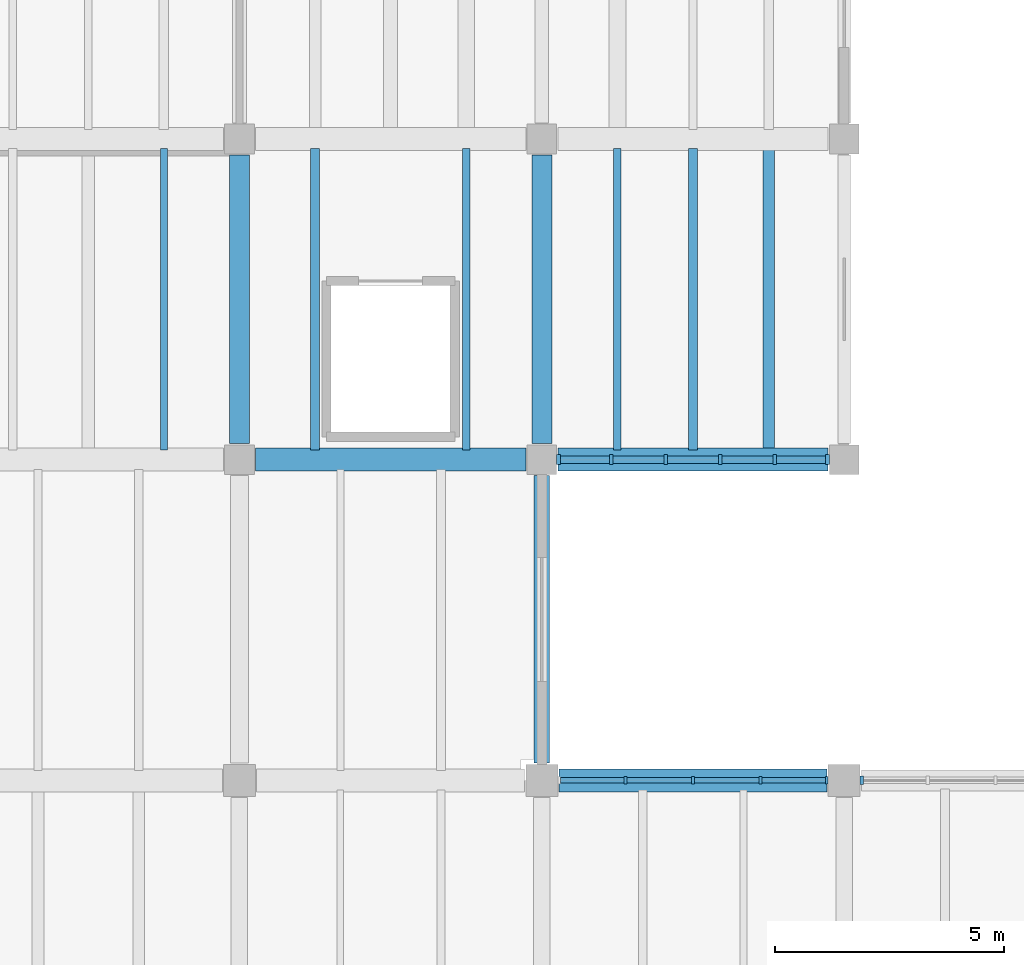
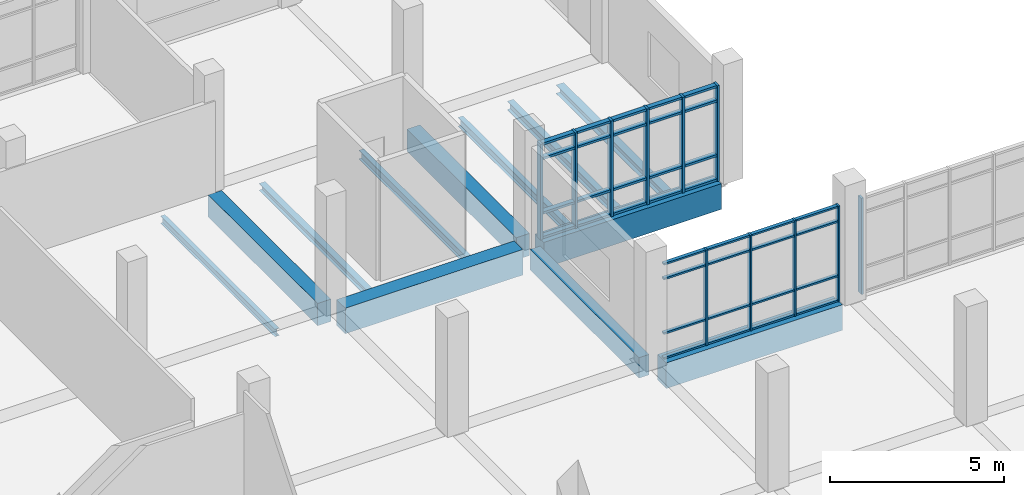
# One storey, part 18 of 69: 47 members, 12 beams, 3 elements without a shape of their own.
"""IFC4 building model written with IfcOpenShell, lengths in metres."""

import ifcopenshell
import ifcopenshell.guid

model = None  # the IFC model being written
_history = None  # IfcOwnerHistory: only IFC2X3 demands one
_inside = {}  # id of a spatial element -> (the spatial element, [elements in it])
_under = {}  # id of a project, library or spatial element -> (it, [spatial elements below it])
_declared = {}  # id of a project -> (the project, [libraries it declares])
_typed = {}  # id of a type object -> (the type object, [elements of that type])
_made_of = {}  # id of a material, layer set ... -> (it, [elements and type objects made of it])


def new_model(schema):
    """Start an empty IFC model of exactly this schema.

    Asked for "IFC4X3", IfcOpenShell would pick the latest addendum, in which some entities
    have other attributes; the version numbers below select the first issue.
    IFC2X3 requires an IfcOwnerHistory on every rooted entity: one is made here for all.
    """
    global model, _history
    if schema == "IFC4X3":
        model = ifcopenshell.file(schema_version=(4, 3, 0, 0))
    else:
        model = ifcopenshell.file(schema=schema)
    _inside.clear()
    _under.clear()
    _declared.clear()
    _typed.clear()
    _made_of.clear()
    _history = None
    if model.schema == "IFC2X3":
        org = make("IfcOrganization", Name="unknown")
        user = make(
            "IfcPersonAndOrganization",
            ThePerson=make("IfcPerson", FamilyName="unknown"),
            TheOrganization=org,
        )
        app = make(
            "IfcApplication",
            ApplicationDeveloper=org,
            Version="unknown",
            ApplicationFullName="unknown",
            ApplicationIdentifier="unknown",
        )
        _history = make(
            "IfcOwnerHistory",
            OwningUser=user,
            OwningApplication=app,
            ChangeAction="ADDED",
            CreationDate=0,
        )
    return model


def make(cls, **values):
    """One entity of the class cls with the attributes given. An attribute that is None is left unset."""
    return model.create_entity(
        cls, **{name: value for name, value in values.items() if value is not None}
    )


def rooted(cls, **values):
    """An entity with a GlobalId (a new one), such as an element, a storey or a relation."""
    return make(cls, GlobalId=ifcopenshell.guid.new(), OwnerHistory=_history, **values)


def si_unit(unit_type, name, prefix=None):
    """IfcSIUnit, for example si_unit("LENGTHUNIT", "METRE", prefix="MILLI")."""
    return make("IfcSIUnit", UnitType=unit_type, Prefix=prefix, Name=name)


def assignment(units):
    """IfcUnitAssignment: the units of a project."""
    return None if units is None else make("IfcUnitAssignment", Units=units)


def point(xyz):
    """IfcCartesianPoint."""
    return None if xyz is None else make("IfcCartesianPoint", Coordinates=xyz)


def direction(xyz):
    """IfcDirection."""
    return None if xyz is None else make("IfcDirection", DirectionRatios=xyz)


def frame(location, z_axis=None, x_axis=None):
    """IfcAxis2Placement3D, a coordinate frame: its origin and axes. An axis left out is left unset."""
    return make(
        "IfcAxis2Placement3D",
        Location=point(location),
        Axis=direction(z_axis),
        RefDirection=direction(x_axis),
    )


def frame_2d(location, x_axis=None):
    """IfcAxis2Placement2D, a coordinate frame in the plane: its origin and x axis."""
    return make(
        "IfcAxis2Placement2D", Location=point(location), RefDirection=direction(x_axis)
    )


def origin():
    """The frame at (0, 0, 0) with its axes left unset."""
    return frame((0.0, 0.0, 0.0))


def origin_2d():
    """The frame at (0, 0) in the plane with its x axis left unset."""
    return frame_2d((0.0, 0.0))


def place(relative_to, where):
    """IfcLocalPlacement: puts the frame where relative to a parent placement (None: the world)."""
    return make(
        "IfcLocalPlacement", PlacementRelTo=relative_to, RelativePlacement=where
    )


def context(
    kind, dimensions, precision=None, world=None, true_north=None, identifier=None
):
    """IfcGeometricRepresentationContext, for example the 3D "Model" context."""
    return make(
        "IfcGeometricRepresentationContext",
        ContextIdentifier=identifier,
        ContextType=kind,
        CoordinateSpaceDimension=dimensions,
        Precision=precision,
        WorldCoordinateSystem=world,
        TrueNorth=true_north,
    )


def subcontext(parent, identifier, kind, view, scale=None):
    """IfcGeometricRepresentationSubContext, for example "Body" below "Model"."""
    return make(
        "IfcGeometricRepresentationSubContext",
        ContextIdentifier=identifier,
        ContextType=kind,
        ParentContext=parent,
        TargetScale=scale,
        TargetView=view,
    )


def project(units=None, contexts=None):
    """IfcProject with its units and contexts."""
    return rooted(
        "IfcProject",
        Name="project",
        RepresentationContexts=contexts,
        UnitsInContext=assignment(units),
    )


def spatial(cls, under=None, at=None, **own):
    """A site, building, storey or space (cls), placed at a placement, below another one or the project."""
    s = rooted(cls, ObjectPlacement=at, **own)
    if under is not None:
        _under.setdefault(under.id(), (under, []))[1].append(s)
    return s


def profile(cls, at=None, kind="AREA", **sizes):
    """A parametric profile (cls). Its sizes go by their IFC names, for example OverallWidth=200.0."""
    return make(cls, ProfileType=kind, Position=at, **sizes)


def rectangle(**sizes):
    """IfcRectangleProfileDef."""
    return profile("IfcRectangleProfileDef", **sizes)


def i_section(**sizes):
    """IfcIShapeProfileDef."""
    return profile("IfcIShapeProfileDef", **sizes)


def extrude(swept, where, along, depth):
    """IfcExtrudedAreaSolid: the profile swept, set in the frame where, extruded along a direction by depth."""
    return make(
        "IfcExtrudedAreaSolid",
        SweptArea=swept,
        Position=where,
        ExtrudedDirection=direction(along),
        Depth=depth,
    )


def shape(context_of_items, identifier, shape_type, items):
    """IfcShapeRepresentation: the items that make up one representation, for example the "Body"."""
    return make(
        "IfcShapeRepresentation",
        ContextOfItems=context_of_items,
        RepresentationIdentifier=identifier,
        RepresentationType=shape_type,
        Items=items,
    )


def material(Name=None, Category=None):
    """IfcMaterial."""
    return make("IfcMaterial", Name=Name, Category=Category)


def material_profile(
    of_material, cross_section, Name=None, Category=None, Priority=None
):
    """IfcMaterialProfile: a cross section and its material."""
    return make(
        "IfcMaterialProfile",
        Name=Name,
        Material=of_material,
        Profile=cross_section,
        Priority=Priority,
        Category=Category,
    )


def profile_set(profiles, Name=None, composite=None):
    """IfcMaterialProfileSet."""
    return make(
        "IfcMaterialProfileSet",
        Name=Name,
        MaterialProfiles=profiles,
        CompositeProfile=composite,
    )


def made_of(thing, what):
    """Note that an element or type object is made of a material, layer set ...; save() writes the relation."""
    if what is not None:
        _made_of.setdefault(what.id(), (what, []))[1].append(thing)
    return thing


def type_object(cls, material=None, **own):
    """A type object (cls), such as IfcWallType, which elements share."""
    return made_of(rooted(cls, **own), material)


def element(
    cls,
    number,
    at=None,
    inside=None,
    cuts=None,
    type_object=None,
    material=None,
    context=None,
    identifier="Body",
    shape_type=None,
    held_by="IfcProductDefinitionShape",
    body=None,
    shapes=None,
    **own,
):
    """One element of the class cls, such as IfcWall. Its Tag is "e" and its number.

    at: its placement. inside: the storey or other place that contains it. cuts: it is an
    opening in that element (IfcRelVoidsElement). A single representation is given by context,
    identifier, shape_type and body (its items); several are given by shapes. held_by: the class
    of the entity that holds the representations. save() writes the other relations.
    """
    e = rooted(cls, Tag="e%d" % number, ObjectPlacement=at, **own)
    if body is not None:
        shapes = [shape(context, identifier, shape_type, body)]
    if shapes is not None:
        e.Representation = make(held_by, Representations=shapes)
    if inside is not None:
        _inside.setdefault(inside.id(), (inside, []))[1].append(e)
    if cuts is not None:
        rooted(
            "IfcRelVoidsElement", RelatingBuildingElement=cuts, RelatedOpeningElement=e
        )
    if type_object is not None:
        _typed.setdefault(type_object.id(), (type_object, []))[1].append(e)
    return made_of(e, material)


def aggregate(whole, parts):
    """IfcRelAggregates: a whole, such as a stair, and the parts it consists of."""
    return rooted("IfcRelAggregates", RelatingObject=whole, RelatedObjects=parts)


def save(model, path):
    """Write the relations noted so far, then the file.

    IfcRelAggregates (storeys below a building ...), IfcRelContainedInSpatialStructure (elements
    in a storey), IfcRelDefinesByType, IfcRelAssociatesMaterial and IfcRelDeclares: one each for
    every whole, place, type object, material and project.
    """
    for whole, parts in _under.values():
        aggregate(whole, parts)
    for where, things in _inside.values():
        rooted(
            "IfcRelContainedInSpatialStructure",
            RelatedElements=things,
            RelatingStructure=where,
        )
    for kind, things in _typed.values():
        rooted("IfcRelDefinesByType", RelatedObjects=things, RelatingType=kind)
    for what, things in _made_of.values():
        rooted("IfcRelAssociatesMaterial", RelatedObjects=things, RelatingMaterial=what)
    for by, libraries in _declared.values():
        rooted("IfcRelDeclares", RelatingContext=by, RelatedDefinitions=libraries)
    model.write(path)


model = new_model("IFC4")

# Units and contexts
model_context = context("Model", 3, precision=1e-05, world=origin(), true_north=direction((0.0, 1.0)))
body_context = subcontext(model_context, "Body", "Model", "MODEL_VIEW")
ifc_project = project(units=[si_unit("LENGTHUNIT", "METRE"), si_unit("AREAUNIT", "SQUARE_METRE"), si_unit("VOLUMEUNIT", "CUBIC_METRE"), si_unit("PLANEANGLEUNIT", "RADIAN"), si_unit("MASSUNIT", "GRAM", prefix="KILO")], contexts=[model_context])

# Site, building, storey
site_placement = place(None, origin())
site = spatial("IfcSite", under=ifc_project, at=site_placement, CompositionType="ELEMENT")
building_placement = place(site_placement, origin())
building = spatial("IfcBuilding", under=site, at=building_placement, Name="Ciguamira Faculty of Natural Sciences", CompositionType="ELEMENT")
storey_placement = place(building_placement, origin())
storey = spatial("IfcBuildingStorey", under=building, at=storey_placement, Name="L00", CompositionType="ELEMENT", Elevation=0.0)

# Curtain wall, members
ifc_material_1 = material(Name="Anodized aluminium curtain wall", Category="aluminium")
curtain_wall_type_1 = type_object("IfcCurtainWallType", Name="CurtainWall_CW-07", PredefinedType="USERDEFINED", material=ifc_material_1)
curtain_wall_1_placement = place(storey_placement, origin())
curtain_wall_1 = element("IfcCurtainWall", 1, at=curtain_wall_1_placement, inside=storey, type_object=curtain_wall_type_1, Name="L00 unitised curtain wall 0007", ObjectType="UNITISED CURTAIN WALL", PredefinedType="USERDEFINED")
ifc_material_2 = material(Name="Anodized aluminium mullion", Category="aluminium")
ifc_material_profile_1 = material_profile(ifc_material_2, rectangle(XDim=0.06005859375, YDim=0.159912109375, at=origin_2d()), Name="ALU-MUL-60X160")
ifc_profile_set_1 = profile_set([ifc_material_profile_1], Name="Anodized aluminium mullion")
member_type_1 = type_object("IfcMemberType", Name="CWMullion_CWM-01", PredefinedType="MULLION", material=ifc_profile_set_1)
member_1_placement = place(storey_placement, frame((111.925048828125, 38.0, 0.0), z_axis=(0.0, 0.0, 1.0), x_axis=(1.0, 0.0, 0.0)))
member_1 = element("IfcMember", 2, at=member_1_placement, type_object=member_type_1, Name="CW-07 mullion 2", PredefinedType="MULLION", context=body_context, shape_type="SweptSolid", body=[
    extrude(rectangle(XDim=0.06005859375, YDim=0.159912109375, at=origin_2d()), origin(), (0.0, 0.0, 1.0), 3.364990234375),
])
member_2_placement = place(storey_placement, frame((113.39990234375, 38.0, 0.0), z_axis=(0.0, 0.0, 1.0), x_axis=(1.0, 0.0, 0.0)))
member_2 = element("IfcMember", 3, at=member_2_placement, type_object=member_type_1, Name="CW-07 mullion 3", PredefinedType="MULLION", context=body_context, shape_type="SweptSolid", body=[
    extrude(rectangle(XDim=0.06005859375, YDim=0.159912109375, at=origin_2d()), origin(), (0.0, 0.0, 1.0), 3.364990234375),
])
member_3_placement = place(storey_placement, frame((114.875, 38.0, 0.0), z_axis=(0.0, 0.0, 1.0), x_axis=(1.0, 0.0, 0.0)))
member_3 = element("IfcMember", 4, at=member_3_placement, type_object=member_type_1, Name="CW-07 mullion 4", PredefinedType="MULLION", context=body_context, shape_type="SweptSolid", body=[
    extrude(rectangle(XDim=0.06005859375, YDim=0.159912109375, at=origin_2d()), origin(), (0.0, 0.0, 1.0), 3.364990234375),
])
member_4_placement = place(storey_placement, frame((116.320068359375, 38.0, 0.0), z_axis=(0.0, 0.0, 1.0), x_axis=(1.0, 0.0, 0.0)))
member_4 = element("IfcMember", 5, at=member_4_placement, type_object=member_type_1, Name="CW-07 mullion 5", PredefinedType="MULLION", context=body_context, shape_type="SweptSolid", body=[
    extrude(rectangle(XDim=0.06005859375, YDim=0.159912109375, at=origin_2d()), origin(), (0.0, 0.0, 1.0), 3.364990234375),
])

# Curtain wall, member
curtain_wall_type_2 = type_object("IfcCurtainWallType", Name="CurtainWall_CW-08", PredefinedType="USERDEFINED", material=ifc_material_1)
curtain_wall_2_placement = place(storey_placement, origin())
curtain_wall_2 = element("IfcCurtainWall", 6, at=curtain_wall_2_placement, inside=storey, type_object=curtain_wall_type_2, Name="L00 unitised curtain wall 0008", ObjectType="UNITISED CURTAIN WALL", PredefinedType="USERDEFINED")
ifc_material_profile_2 = material_profile(ifc_material_2, rectangle(XDim=0.070068359375, YDim=0.179931640625, at=origin_2d()), Name="ALU-MUL-70X180")
ifc_profile_set_2 = profile_set([ifc_material_profile_2], Name="Anodized aluminium mullion")
member_type_2 = type_object("IfcMemberType", Name="CWMullion_CWM-02", PredefinedType="MULLION", material=ifc_profile_set_2)
member_5_placement = place(storey_placement, frame((117.0849609375, 38.0, 0.0), z_axis=(0.0, 0.0, 1.0), x_axis=(1.0, 0.0, 0.0)))
member_5 = element("IfcMember", 7, at=member_5_placement, type_object=member_type_2, Name="CW-08 mullion 1", PredefinedType="MULLION", context=body_context, shape_type="SweptSolid", body=[
    extrude(rectangle(XDim=0.070068359375, YDim=0.179931640625, at=origin_2d()), origin(), (0.0, 0.0, 1.0), 3.385009765625),
])
aggregate(curtain_wall_2, [member_5])

# Curtain wall, members
curtain_wall_type_3 = type_object("IfcCurtainWallType", Name="CurtainWall_CW-09", PredefinedType="USERDEFINED", material=ifc_material_1)
curtain_wall_3_placement = place(storey_placement, origin())
curtain_wall_3 = element("IfcCurtainWall", 8, at=curtain_wall_3_placement, inside=storey, type_object=curtain_wall_type_3, Name="L00 unitised curtain wall 0009", ObjectType="UNITISED CURTAIN WALL", PredefinedType="USERDEFINED")
ifc_material_profile_3 = material_profile(ifc_material_2, rectangle(XDim=0.080078125, YDim=0.219970703125, at=origin_2d()), Name="ALU-MUL-80X220")
ifc_profile_set_3 = profile_set([ifc_material_profile_3], Name="Anodized aluminium mullion")
member_type_3 = type_object("IfcMemberType", Name="CWMullion_CWM-03", PredefinedType="MULLION", material=ifc_profile_set_3)
member_6_placement = place(storey_placement, frame((110.465087890625, 45.0, 0.0), z_axis=(0.0, 0.0, 1.0), x_axis=(1.0, 0.0, 0.0)))
member_6 = element("IfcMember", 9, at=member_6_placement, type_object=member_type_3, Name="CW-09 mullion 1", PredefinedType="MULLION", context=body_context, shape_type="SweptSolid", body=[
    extrude(rectangle(XDim=0.080078125, YDim=0.219970703125, at=origin_2d()), origin(), (0.0, 0.0, 1.0), 3.364990234375),
])
member_7_placement = place(storey_placement, frame((111.614990234375, 45.0, 0.0), z_axis=(0.0, 0.0, 1.0), x_axis=(1.0, 0.0, 0.0)))
member_7 = element("IfcMember", 10, at=member_7_placement, type_object=member_type_3, Name="CW-09 mullion 2", PredefinedType="MULLION", context=body_context, shape_type="SweptSolid", body=[
    extrude(rectangle(XDim=0.080078125, YDim=0.219970703125, at=origin_2d()), origin(), (0.0, 0.0, 1.0), 3.364990234375),
])
member_8_placement = place(storey_placement, frame((112.804931640625, 45.0, 0.0), z_axis=(0.0, 0.0, 1.0), x_axis=(1.0, 0.0, 0.0)))
member_8 = element("IfcMember", 11, at=member_8_placement, type_object=member_type_3, Name="CW-09 mullion 3", PredefinedType="MULLION", context=body_context, shape_type="SweptSolid", body=[
    extrude(rectangle(XDim=0.080078125, YDim=0.219970703125, at=origin_2d()), origin(), (0.0, 0.0, 1.0), 3.364990234375),
])
member_9_placement = place(storey_placement, frame((113.9951171875, 45.0, 0.0), z_axis=(0.0, 0.0, 1.0), x_axis=(1.0, 0.0, 0.0)))
member_9 = element("IfcMember", 12, at=member_9_placement, type_object=member_type_3, Name="CW-09 mullion 4", PredefinedType="MULLION", context=body_context, shape_type="SweptSolid", body=[
    extrude(rectangle(XDim=0.080078125, YDim=0.219970703125, at=origin_2d()), origin(), (0.0, 0.0, 1.0), 3.364990234375),
])
member_10_placement = place(storey_placement, frame((115.18505859375, 45.0, 0.0), z_axis=(0.0, 0.0, 1.0), x_axis=(1.0, 0.0, 0.0)))
member_10 = element("IfcMember", 13, at=member_10_placement, type_object=member_type_3, Name="CW-09 mullion 5", PredefinedType="MULLION", context=body_context, shape_type="SweptSolid", body=[
    extrude(rectangle(XDim=0.080078125, YDim=0.219970703125, at=origin_2d()), origin(), (0.0, 0.0, 1.0), 3.364990234375),
])
member_11_placement = place(storey_placement, frame((116.3349609375, 45.0, 0.0), z_axis=(0.0, 0.0, 1.0), x_axis=(1.0, 0.0, 0.0)))
member_11 = element("IfcMember", 14, at=member_11_placement, type_object=member_type_3, Name="CW-09 mullion 6", PredefinedType="MULLION", context=body_context, shape_type="SweptSolid", body=[
    extrude(rectangle(XDim=0.080078125, YDim=0.219970703125, at=origin_2d()), origin(), (0.0, 0.0, 1.0), 3.364990234375),
])

# Member
ifc_material_3 = material(Name="Anodized aluminium transom", Category="aluminium")
ifc_material_profile_4 = material_profile(ifc_material_3, rectangle(XDim=0.06005859375, YDim=0.1201171875, at=origin_2d()), Name="ALU-TRN-60X120")
ifc_profile_set_4 = profile_set([ifc_material_profile_4], Name="Anodized aluminium transom")
member_type_4 = type_object("IfcMemberType", Name="CWTransom_CWT-01", PredefinedType="USERDEFINED", material=ifc_profile_set_4)
member_12_placement = place(storey_placement, frame((110.510009765625, 38.0, 0.030029296875), z_axis=(1.0, 0.0, 0.0), x_axis=(0.0, 0.0, 1.0)))
member_12 = element("IfcMember", 15, at=member_12_placement, type_object=member_type_4, Name="CW-07 transom 1.1", ObjectType="TRANSOM", PredefinedType="USERDEFINED", context=body_context, shape_type="SweptSolid", body=[
    extrude(rectangle(XDim=0.06005859375, YDim=0.1201171875, at=origin_2d()), origin(), (0.0, 0.0, 1.0), 1.385009765625),
])

member_13_placement = place(storey_placement, frame((110.510009765625, 38.0, 0.89990234375), z_axis=(1.0, 0.0, 0.0), x_axis=(0.0, 0.0, 1.0)))
member_13 = element("IfcMember", 16, at=member_13_placement, type_object=member_type_4, Name="CW-07 transom 1.2", ObjectType="TRANSOM", PredefinedType="USERDEFINED", context=body_context, shape_type="SweptSolid", body=[
    extrude(rectangle(XDim=0.06005859375, YDim=0.1201171875, at=origin_2d()), origin(), (0.0, 0.0, 1.0), 1.385009765625),
])

member_14_placement = place(storey_placement, frame((110.510009765625, 38.0, 2.81494140625), z_axis=(1.0, 0.0, 0.0), x_axis=(0.0, 0.0, 1.0)))
member_14 = element("IfcMember", 17, at=member_14_placement, type_object=member_type_4, Name="CW-07 transom 1.3", ObjectType="TRANSOM", PredefinedType="USERDEFINED", context=body_context, shape_type="SweptSolid", body=[
    extrude(rectangle(XDim=0.06005859375, YDim=0.1201171875, at=origin_2d()), origin(), (0.0, 0.0, 1.0), 1.385009765625),
])

member_15_placement = place(storey_placement, frame((110.510009765625, 38.0, 3.3349609375), z_axis=(1.0, 0.0, 0.0), x_axis=(0.0, 0.0, 1.0)))
member_15 = element("IfcMember", 18, at=member_15_placement, type_object=member_type_4, Name="CW-07 transom 1.4", ObjectType="TRANSOM", PredefinedType="USERDEFINED", context=body_context, shape_type="SweptSolid", body=[
    extrude(rectangle(XDim=0.06005859375, YDim=0.1201171875, at=origin_2d()), origin(), (0.0, 0.0, 1.0), 1.385009765625),
])

member_16_placement = place(storey_placement, frame((111.955078125, 38.0, 0.030029296875), z_axis=(1.0, 0.0, 0.0), x_axis=(0.0, 0.0, 1.0)))
member_16 = element("IfcMember", 19, at=member_16_placement, type_object=member_type_4, Name="CW-07 transom 2.1", ObjectType="TRANSOM", PredefinedType="USERDEFINED", context=body_context, shape_type="SweptSolid", body=[
    extrude(rectangle(XDim=0.06005859375, YDim=0.1201171875, at=origin_2d()), origin(), (0.0, 0.0, 1.0), 1.4150390625),
])

member_17_placement = place(storey_placement, frame((111.955078125, 38.0, 0.89990234375), z_axis=(1.0, 0.0, 0.0), x_axis=(0.0, 0.0, 1.0)))
member_17 = element("IfcMember", 20, at=member_17_placement, type_object=member_type_4, Name="CW-07 transom 2.2", ObjectType="TRANSOM", PredefinedType="USERDEFINED", context=body_context, shape_type="SweptSolid", body=[
    extrude(rectangle(XDim=0.06005859375, YDim=0.1201171875, at=origin_2d()), origin(), (0.0, 0.0, 1.0), 1.4150390625),
])

member_18_placement = place(storey_placement, frame((111.955078125, 38.0, 2.81494140625), z_axis=(1.0, 0.0, 0.0), x_axis=(0.0, 0.0, 1.0)))
member_18 = element("IfcMember", 21, at=member_18_placement, type_object=member_type_4, Name="CW-07 transom 2.3", ObjectType="TRANSOM", PredefinedType="USERDEFINED", context=body_context, shape_type="SweptSolid", body=[
    extrude(rectangle(XDim=0.06005859375, YDim=0.1201171875, at=origin_2d()), origin(), (0.0, 0.0, 1.0), 1.4150390625),
])

member_19_placement = place(storey_placement, frame((111.955078125, 38.0, 3.3349609375), z_axis=(1.0, 0.0, 0.0), x_axis=(0.0, 0.0, 1.0)))
member_19 = element("IfcMember", 22, at=member_19_placement, type_object=member_type_4, Name="CW-07 transom 2.4", ObjectType="TRANSOM", PredefinedType="USERDEFINED", context=body_context, shape_type="SweptSolid", body=[
    extrude(rectangle(XDim=0.06005859375, YDim=0.1201171875, at=origin_2d()), origin(), (0.0, 0.0, 1.0), 1.4150390625),
])

member_20_placement = place(storey_placement, frame((113.429931640625, 38.0, 0.030029296875), z_axis=(1.0, 0.0, 0.0), x_axis=(0.0, 0.0, 1.0)))
member_20 = element("IfcMember", 23, at=member_20_placement, type_object=member_type_4, Name="CW-07 transom 3.1", ObjectType="TRANSOM", PredefinedType="USERDEFINED", context=body_context, shape_type="SweptSolid", body=[
    extrude(rectangle(XDim=0.06005859375, YDim=0.1201171875, at=origin_2d()), origin(), (0.0, 0.0, 1.0), 1.4150390625),
])

member_21_placement = place(storey_placement, frame((113.429931640625, 38.0, 0.89990234375), z_axis=(1.0, 0.0, 0.0), x_axis=(0.0, 0.0, 1.0)))
member_21 = element("IfcMember", 24, at=member_21_placement, type_object=member_type_4, Name="CW-07 transom 3.2", ObjectType="TRANSOM", PredefinedType="USERDEFINED", context=body_context, shape_type="SweptSolid", body=[
    extrude(rectangle(XDim=0.06005859375, YDim=0.1201171875, at=origin_2d()), origin(), (0.0, 0.0, 1.0), 1.4150390625),
])

member_22_placement = place(storey_placement, frame((113.429931640625, 38.0, 2.81494140625), z_axis=(1.0, 0.0, 0.0), x_axis=(0.0, 0.0, 1.0)))
member_22 = element("IfcMember", 25, at=member_22_placement, type_object=member_type_4, Name="CW-07 transom 3.3", ObjectType="TRANSOM", PredefinedType="USERDEFINED", context=body_context, shape_type="SweptSolid", body=[
    extrude(rectangle(XDim=0.06005859375, YDim=0.1201171875, at=origin_2d()), origin(), (0.0, 0.0, 1.0), 1.4150390625),
])

member_23_placement = place(storey_placement, frame((113.429931640625, 38.0, 3.3349609375), z_axis=(1.0, 0.0, 0.0), x_axis=(0.0, 0.0, 1.0)))
member_23 = element("IfcMember", 26, at=member_23_placement, type_object=member_type_4, Name="CW-07 transom 3.4", ObjectType="TRANSOM", PredefinedType="USERDEFINED", context=body_context, shape_type="SweptSolid", body=[
    extrude(rectangle(XDim=0.06005859375, YDim=0.1201171875, at=origin_2d()), origin(), (0.0, 0.0, 1.0), 1.4150390625),
])

member_24_placement = place(storey_placement, frame((114.905029296875, 38.0, 0.030029296875), z_axis=(1.0, 0.0, 0.0), x_axis=(0.0, 0.0, 1.0)))
member_24 = element("IfcMember", 27, at=member_24_placement, type_object=member_type_4, Name="CW-07 transom 4.1", ObjectType="TRANSOM", PredefinedType="USERDEFINED", context=body_context, shape_type="SweptSolid", body=[
    extrude(rectangle(XDim=0.06005859375, YDim=0.1201171875, at=origin_2d()), origin(), (0.0, 0.0, 1.0), 1.385009765625),
])

member_25_placement = place(storey_placement, frame((114.905029296875, 38.0, 0.89990234375), z_axis=(1.0, 0.0, 0.0), x_axis=(0.0, 0.0, 1.0)))
member_25 = element("IfcMember", 28, at=member_25_placement, type_object=member_type_4, Name="CW-07 transom 4.2", ObjectType="TRANSOM", PredefinedType="USERDEFINED", context=body_context, shape_type="SweptSolid", body=[
    extrude(rectangle(XDim=0.06005859375, YDim=0.1201171875, at=origin_2d()), origin(), (0.0, 0.0, 1.0), 1.385009765625),
])

member_26_placement = place(storey_placement, frame((114.905029296875, 38.0, 2.81494140625), z_axis=(1.0, 0.0, 0.0), x_axis=(0.0, 0.0, 1.0)))
member_26 = element("IfcMember", 29, at=member_26_placement, type_object=member_type_4, Name="CW-07 transom 4.3", ObjectType="TRANSOM", PredefinedType="USERDEFINED", context=body_context, shape_type="SweptSolid", body=[
    extrude(rectangle(XDim=0.06005859375, YDim=0.1201171875, at=origin_2d()), origin(), (0.0, 0.0, 1.0), 1.385009765625),
])

member_27_placement = place(storey_placement, frame((114.905029296875, 38.0, 3.3349609375), z_axis=(1.0, 0.0, 0.0), x_axis=(0.0, 0.0, 1.0)))
member_27 = element("IfcMember", 30, at=member_27_placement, type_object=member_type_4, Name="CW-07 transom 4.4", ObjectType="TRANSOM", PredefinedType="USERDEFINED", context=body_context, shape_type="SweptSolid", body=[
    extrude(rectangle(XDim=0.06005859375, YDim=0.1201171875, at=origin_2d()), origin(), (0.0, 0.0, 1.0), 1.385009765625),
])

aggregate(curtain_wall_1, [member_1, member_2, member_3, member_4, member_12, member_13, member_14, member_15, member_16, member_17, member_18, member_19, member_20, member_21, member_22, member_23, member_24, member_25, member_26, member_27])

ifc_material_profile_5 = material_profile(ifc_material_3, rectangle(XDim=0.080078125, YDim=0.159912109375, at=origin_2d()), Name="ALU-TRN-80X160")
ifc_profile_set_5 = profile_set([ifc_material_profile_5], Name="Anodized aluminium transom")
member_type_5 = type_object("IfcMemberType", Name="CWTransom_CWT-03", PredefinedType="USERDEFINED", material=ifc_profile_set_5)
member_28_placement = place(storey_placement, frame((110.5048828125, 45.0, 0.0400390625), z_axis=(1.0, 0.0, 0.0), x_axis=(0.0, 0.0, 1.0)))
member_28 = element("IfcMember", 31, at=member_28_placement, type_object=member_type_5, Name="CW-09 transom 1.1", ObjectType="TRANSOM", PredefinedType="USERDEFINED", context=body_context, shape_type="SweptSolid", body=[
    extrude(rectangle(XDim=0.080078125, YDim=0.159912109375, at=origin_2d()), origin(), (0.0, 0.0, 1.0), 1.070068359375),
])

member_29_placement = place(storey_placement, frame((110.5048828125, 45.0, 0.89990234375), z_axis=(1.0, 0.0, 0.0), x_axis=(0.0, 0.0, 1.0)))
member_29 = element("IfcMember", 32, at=member_29_placement, type_object=member_type_5, Name="CW-09 transom 1.2", ObjectType="TRANSOM", PredefinedType="USERDEFINED", context=body_context, shape_type="SweptSolid", body=[
    extrude(rectangle(XDim=0.080078125, YDim=0.159912109375, at=origin_2d()), origin(), (0.0, 0.0, 1.0), 1.070068359375),
])

member_30_placement = place(storey_placement, frame((110.5048828125, 45.0, 2.81494140625), z_axis=(1.0, 0.0, 0.0), x_axis=(0.0, 0.0, 1.0)))
member_30 = element("IfcMember", 33, at=member_30_placement, type_object=member_type_5, Name="CW-09 transom 1.3", ObjectType="TRANSOM", PredefinedType="USERDEFINED", context=body_context, shape_type="SweptSolid", body=[
    extrude(rectangle(XDim=0.080078125, YDim=0.159912109375, at=origin_2d()), origin(), (0.0, 0.0, 1.0), 1.070068359375),
])

member_31_placement = place(storey_placement, frame((110.5048828125, 45.0, 3.324951171875), z_axis=(1.0, 0.0, 0.0), x_axis=(0.0, 0.0, 1.0)))
member_31 = element("IfcMember", 34, at=member_31_placement, type_object=member_type_5, Name="CW-09 transom 1.4", ObjectType="TRANSOM", PredefinedType="USERDEFINED", context=body_context, shape_type="SweptSolid", body=[
    extrude(rectangle(XDim=0.080078125, YDim=0.159912109375, at=origin_2d()), origin(), (0.0, 0.0, 1.0), 1.070068359375),
])

member_32_placement = place(storey_placement, frame((111.655029296875, 45.0, 0.0400390625), z_axis=(1.0, 0.0, 0.0), x_axis=(0.0, 0.0, 1.0)))
member_32 = element("IfcMember", 35, at=member_32_placement, type_object=member_type_5, Name="CW-09 transom 2.1", ObjectType="TRANSOM", PredefinedType="USERDEFINED", context=body_context, shape_type="SweptSolid", body=[
    extrude(rectangle(XDim=0.080078125, YDim=0.159912109375, at=origin_2d()), origin(), (0.0, 0.0, 1.0), 1.10986328125),
])

member_33_placement = place(storey_placement, frame((111.655029296875, 45.0, 0.89990234375), z_axis=(1.0, 0.0, 0.0), x_axis=(0.0, 0.0, 1.0)))
member_33 = element("IfcMember", 36, at=member_33_placement, type_object=member_type_5, Name="CW-09 transom 2.2", ObjectType="TRANSOM", PredefinedType="USERDEFINED", context=body_context, shape_type="SweptSolid", body=[
    extrude(rectangle(XDim=0.080078125, YDim=0.159912109375, at=origin_2d()), origin(), (0.0, 0.0, 1.0), 1.10986328125),
])

member_34_placement = place(storey_placement, frame((111.655029296875, 45.0, 2.81494140625), z_axis=(1.0, 0.0, 0.0), x_axis=(0.0, 0.0, 1.0)))
member_34 = element("IfcMember", 37, at=member_34_placement, type_object=member_type_5, Name="CW-09 transom 2.3", ObjectType="TRANSOM", PredefinedType="USERDEFINED", context=body_context, shape_type="SweptSolid", body=[
    extrude(rectangle(XDim=0.080078125, YDim=0.159912109375, at=origin_2d()), origin(), (0.0, 0.0, 1.0), 1.10986328125),
])

member_35_placement = place(storey_placement, frame((111.655029296875, 45.0, 3.324951171875), z_axis=(1.0, 0.0, 0.0), x_axis=(0.0, 0.0, 1.0)))
member_35 = element("IfcMember", 38, at=member_35_placement, type_object=member_type_5, Name="CW-09 transom 2.4", ObjectType="TRANSOM", PredefinedType="USERDEFINED", context=body_context, shape_type="SweptSolid", body=[
    extrude(rectangle(XDim=0.080078125, YDim=0.159912109375, at=origin_2d()), origin(), (0.0, 0.0, 1.0), 1.10986328125),
])

member_36_placement = place(storey_placement, frame((112.844970703125, 45.0, 0.0400390625), z_axis=(1.0, 0.0, 0.0), x_axis=(0.0, 0.0, 1.0)))
member_36 = element("IfcMember", 39, at=member_36_placement, type_object=member_type_5, Name="CW-09 transom 3.1", ObjectType="TRANSOM", PredefinedType="USERDEFINED", context=body_context, shape_type="SweptSolid", body=[
    extrude(rectangle(XDim=0.080078125, YDim=0.159912109375, at=origin_2d()), origin(), (0.0, 0.0, 1.0), 1.110107421875),
])

member_37_placement = place(storey_placement, frame((112.844970703125, 45.0, 0.89990234375), z_axis=(1.0, 0.0, 0.0), x_axis=(0.0, 0.0, 1.0)))
member_37 = element("IfcMember", 40, at=member_37_placement, type_object=member_type_5, Name="CW-09 transom 3.2", ObjectType="TRANSOM", PredefinedType="USERDEFINED", context=body_context, shape_type="SweptSolid", body=[
    extrude(rectangle(XDim=0.080078125, YDim=0.159912109375, at=origin_2d()), origin(), (0.0, 0.0, 1.0), 1.110107421875),
])

member_38_placement = place(storey_placement, frame((112.844970703125, 45.0, 2.81494140625), z_axis=(1.0, 0.0, 0.0), x_axis=(0.0, 0.0, 1.0)))
member_38 = element("IfcMember", 41, at=member_38_placement, type_object=member_type_5, Name="CW-09 transom 3.3", ObjectType="TRANSOM", PredefinedType="USERDEFINED", context=body_context, shape_type="SweptSolid", body=[
    extrude(rectangle(XDim=0.080078125, YDim=0.159912109375, at=origin_2d()), origin(), (0.0, 0.0, 1.0), 1.110107421875),
])

member_39_placement = place(storey_placement, frame((112.844970703125, 45.0, 3.324951171875), z_axis=(1.0, 0.0, 0.0), x_axis=(0.0, 0.0, 1.0)))
member_39 = element("IfcMember", 42, at=member_39_placement, type_object=member_type_5, Name="CW-09 transom 3.4", ObjectType="TRANSOM", PredefinedType="USERDEFINED", context=body_context, shape_type="SweptSolid", body=[
    extrude(rectangle(XDim=0.080078125, YDim=0.159912109375, at=origin_2d()), origin(), (0.0, 0.0, 1.0), 1.110107421875),
])

member_40_placement = place(storey_placement, frame((114.034912109375, 45.0, 0.0400390625), z_axis=(1.0, 0.0, 0.0), x_axis=(0.0, 0.0, 1.0)))
member_40 = element("IfcMember", 43, at=member_40_placement, type_object=member_type_5, Name="CW-09 transom 4.1", ObjectType="TRANSOM", PredefinedType="USERDEFINED", context=body_context, shape_type="SweptSolid", body=[
    extrude(rectangle(XDim=0.080078125, YDim=0.159912109375, at=origin_2d()), origin(), (0.0, 0.0, 1.0), 1.110107421875),
])

member_41_placement = place(storey_placement, frame((114.034912109375, 45.0, 0.89990234375), z_axis=(1.0, 0.0, 0.0), x_axis=(0.0, 0.0, 1.0)))
member_41 = element("IfcMember", 44, at=member_41_placement, type_object=member_type_5, Name="CW-09 transom 4.2", ObjectType="TRANSOM", PredefinedType="USERDEFINED", context=body_context, shape_type="SweptSolid", body=[
    extrude(rectangle(XDim=0.080078125, YDim=0.159912109375, at=origin_2d()), origin(), (0.0, 0.0, 1.0), 1.110107421875),
])

member_42_placement = place(storey_placement, frame((114.034912109375, 45.0, 2.81494140625), z_axis=(1.0, 0.0, 0.0), x_axis=(0.0, 0.0, 1.0)))
member_42 = element("IfcMember", 45, at=member_42_placement, type_object=member_type_5, Name="CW-09 transom 4.3", ObjectType="TRANSOM", PredefinedType="USERDEFINED", context=body_context, shape_type="SweptSolid", body=[
    extrude(rectangle(XDim=0.080078125, YDim=0.159912109375, at=origin_2d()), origin(), (0.0, 0.0, 1.0), 1.110107421875),
])

member_43_placement = place(storey_placement, frame((114.034912109375, 45.0, 3.324951171875), z_axis=(1.0, 0.0, 0.0), x_axis=(0.0, 0.0, 1.0)))
member_43 = element("IfcMember", 46, at=member_43_placement, type_object=member_type_5, Name="CW-09 transom 4.4", ObjectType="TRANSOM", PredefinedType="USERDEFINED", context=body_context, shape_type="SweptSolid", body=[
    extrude(rectangle(XDim=0.080078125, YDim=0.159912109375, at=origin_2d()), origin(), (0.0, 0.0, 1.0), 1.110107421875),
])

member_44_placement = place(storey_placement, frame((115.22509765625, 45.0, 0.0400390625), z_axis=(1.0, 0.0, 0.0), x_axis=(0.0, 0.0, 1.0)))
member_44 = element("IfcMember", 47, at=member_44_placement, type_object=member_type_5, Name="CW-09 transom 5.1", ObjectType="TRANSOM", PredefinedType="USERDEFINED", context=body_context, shape_type="SweptSolid", body=[
    extrude(rectangle(XDim=0.080078125, YDim=0.159912109375, at=origin_2d()), origin(), (0.0, 0.0, 1.0), 1.06982421875),
])

member_45_placement = place(storey_placement, frame((115.22509765625, 45.0, 0.89990234375), z_axis=(1.0, 0.0, 0.0), x_axis=(0.0, 0.0, 1.0)))
member_45 = element("IfcMember", 48, at=member_45_placement, type_object=member_type_5, Name="CW-09 transom 5.2", ObjectType="TRANSOM", PredefinedType="USERDEFINED", context=body_context, shape_type="SweptSolid", body=[
    extrude(rectangle(XDim=0.080078125, YDim=0.159912109375, at=origin_2d()), origin(), (0.0, 0.0, 1.0), 1.06982421875),
])

member_46_placement = place(storey_placement, frame((115.22509765625, 45.0, 2.81494140625), z_axis=(1.0, 0.0, 0.0), x_axis=(0.0, 0.0, 1.0)))
member_46 = element("IfcMember", 49, at=member_46_placement, type_object=member_type_5, Name="CW-09 transom 5.3", ObjectType="TRANSOM", PredefinedType="USERDEFINED", context=body_context, shape_type="SweptSolid", body=[
    extrude(rectangle(XDim=0.080078125, YDim=0.159912109375, at=origin_2d()), origin(), (0.0, 0.0, 1.0), 1.06982421875),
])

member_47_placement = place(storey_placement, frame((115.22509765625, 45.0, 3.324951171875), z_axis=(1.0, 0.0, 0.0), x_axis=(0.0, 0.0, 1.0)))
member_47 = element("IfcMember", 50, at=member_47_placement, type_object=member_type_5, Name="CW-09 transom 5.4", ObjectType="TRANSOM", PredefinedType="USERDEFINED", context=body_context, shape_type="SweptSolid", body=[
    extrude(rectangle(XDim=0.080078125, YDim=0.159912109375, at=origin_2d()), origin(), (0.0, 0.0, 1.0), 1.06982421875),
])

aggregate(curtain_wall_3, [member_6, member_7, member_8, member_9, member_10, member_11, member_28, member_29, member_30, member_31, member_32, member_33, member_34, member_35, member_36, member_37, member_38, member_39, member_40, member_41, member_42, member_43, member_44, member_45, member_46, member_47])

# Beams
ifc_material_4 = material(Name="Concrete C40/50", Category="concrete")
ifc_material_profile_6 = material_profile(ifc_material_4, rectangle(XDim=0.5, YDim=0.89990234375, at=origin_2d()), Name="RC-BM-500X900")
ifc_profile_set_6 = profile_set([ifc_material_profile_6], Name="Concrete C40/50")
beam_type_1 = type_object("IfcBeamType", Name="RCBeam_BG-03_RC-BM-500X900", PredefinedType="BEAM", material=ifc_profile_set_6)
beam_1_placement = place(storey_placement, frame((110.47509765625, 38.0, -0.449951171875), z_axis=(1.0, 0.0, 0.0), x_axis=(0.0, 1.0, 0.0)))
element("IfcBeam", 51, at=beam_1_placement, inside=storey, type_object=beam_type_1, Name="L00 RC girder EW-0098", PredefinedType="BEAM", context=body_context, shape_type="SweptSolid", body=[
    extrude(rectangle(XDim=0.5, YDim=0.89990234375, at=origin_2d()), origin(), (0.0, 0.0, 1.0), 5.849853515625),
])
beam_2_placement = place(storey_placement, frame((103.85009765625, 45.0, -0.449951171875), z_axis=(1.0, 0.0, 0.0), x_axis=(0.0, 1.0, 0.0)))
element("IfcBeam", 52, at=beam_2_placement, inside=storey, type_object=beam_type_1, Name="L00 RC girder EW-0107", PredefinedType="BEAM", context=body_context, shape_type="SweptSolid", body=[
    extrude(rectangle(XDim=0.5, YDim=0.89990234375, at=origin_2d()), origin(), (0.0, 0.0, 1.0), 5.89990234375),
])
beam_3_placement = place(storey_placement, frame((110.449951171875, 45.0, -0.449951171875), z_axis=(1.0, 0.0, 0.0), x_axis=(0.0, 1.0, 0.0)))
element("IfcBeam", 53, at=beam_3_placement, inside=storey, type_object=beam_type_1, Name="L00 RC girder EW-0108", PredefinedType="BEAM", context=body_context, shape_type="SweptSolid", body=[
    extrude(rectangle(XDim=0.5, YDim=0.89990234375, at=origin_2d()), origin(), (0.0, 0.0, 1.0), 5.900146484375),
])
ifc_material_profile_7 = material_profile(ifc_material_4, rectangle(XDim=0.43994140625, YDim=0.780029296875, at=origin_2d()), Name="RC-BM-440X780")
ifc_profile_set_7 = profile_set([ifc_material_profile_7], Name="Concrete C40/50")
beam_type_2 = type_object("IfcBeamType", Name="RCBeam_BG-06_RC-BM-440X780", PredefinedType="BEAM", material=ifc_profile_set_7)
for number, where, z_axis, x_axis, name in (
    (54, (103.5, 45.35009765625, -0.389892578125), (0.0, 1.0, 0.0), (-1.0, 0.0, 0.0), "L00 girder NS-0305"),
    (55, (110.10009765625, 45.35009765625, -0.389892578125), (0.0, 1.0, 0.0), (-1.0, 0.0, 0.0), "L00 girder NS-0316"),
):
    element("IfcBeam", number, at=place(storey_placement, frame(where, z_axis=z_axis, x_axis=x_axis)), inside=storey, type_object=beam_type_2, Name=name, PredefinedType="BEAM", context=body_context, shape_type="SweptSolid", body=[
        extrude(rectangle(XDim=0.43994140625, YDim=0.780029296875, at=origin_2d()), origin(), (0.0, 0.0, 1.0), 6.2998046875),
    ])
ifc_material_5 = material(Name="Precast concrete C40/50", Category="concrete")
ifc_material_profile_8 = material_profile(ifc_material_5, rectangle(XDim=0.340087890625, YDim=0.719970703125, at=origin_2d()), Name="RC-SP-340X720")
ifc_profile_set_8 = profile_set([ifc_material_profile_8], Name="Precast concrete C40/50")
beam_type_3 = type_object("IfcBeamType", Name="RCBeam_SP-03_RC-SP-340X720", PredefinedType="SPANDREL", material=ifc_profile_set_8)
beam_4_placement = place(storey_placement, frame((110.10009765625, 38.375, -0.360107421875), z_axis=(0.0, 1.0, 0.0), x_axis=(-1.0, 0.0, 0.0)))
element("IfcBeam", 56, at=beam_4_placement, inside=storey, type_object=beam_type_3, Name="L00 girder NS-0315", PredefinedType="SPANDREL", context=body_context, shape_type="SweptSolid", body=[
    extrude(rectangle(XDim=0.340087890625, YDim=0.719970703125, at=origin_2d()), origin(), (0.0, 0.0, 1.0), 6.27490234375),
])
ifc_material_6 = material(Name="Steel ASTM A992 Grade 50", Category="steel")
ifc_material_profile_9 = material_profile(ifc_material_6, i_section(OverallWidth=0.14599609375, OverallDepth=0.259033203125, WebThickness=0.006103515625, FlangeThickness=0.009033203125, at=origin_2d()), Name="W10X22")
ifc_profile_set_9 = profile_set([ifc_material_profile_9], Name="Steel ASTM A992 Grade 50")
beam_type_4 = type_object("IfcBeamType", Name="SteelJoist_SJ-01_W10X22", PredefinedType="JOIST", material=ifc_profile_set_9)
beam_5_placement = place(storey_placement, frame((101.85009765625, 45.2099609375, -0.429443359375), z_axis=(0.0, 1.0, 0.0), x_axis=(-1.0, 0.0, 0.0)))
element("IfcBeam", 57, at=beam_5_placement, inside=storey, type_object=beam_type_4, Name="L00 composite steel joist 00231", PredefinedType="JOIST", context=body_context, shape_type="SweptSolid", body=[
    extrude(i_section(OverallWidth=0.14599609375, OverallDepth=0.259033203125, WebThickness=0.006103515625, FlangeThickness=0.009033203125, at=origin_2d()), origin(), (0.0, 0.0, 1.0), 6.580078125),
])
ifc_material_profile_10 = material_profile(ifc_material_6, i_section(OverallWidth=0.2021484375, OverallDepth=0.2470703125, WebThickness=0.00732421875, FlangeThickness=0.010986328125, at=origin_2d()), Name="W10X33")
ifc_profile_set_10 = profile_set([ifc_material_profile_10], Name="Steel ASTM A992 Grade 50")
beam_type_5 = type_object("IfcBeamType", Name="SteelJoist_SJ-02_W10X33", PredefinedType="JOIST", material=ifc_profile_set_10)
beam_6_placement = place(storey_placement, frame((105.14990234375, 45.2099609375, -0.423583984375), z_axis=(0.0, 1.0, 0.0), x_axis=(-1.0, 0.0, 0.0)))
element("IfcBeam", 58, at=beam_6_placement, inside=storey, type_object=beam_type_5, Name="L00 composite steel joist 00258", PredefinedType="JOIST", context=body_context, shape_type="SweptSolid", body=[
    extrude(i_section(OverallWidth=0.2021484375, OverallDepth=0.2470703125, WebThickness=0.00732421875, FlangeThickness=0.010986328125, at=origin_2d()), origin(), (0.0, 0.0, 1.0), 6.580078125),
])
ifc_material_profile_11 = material_profile(ifc_material_6, i_section(OverallWidth=0.164794921875, OverallDepth=0.309814453125, WebThickness=0.005859375, FlangeThickness=0.009765625, at=origin_2d()), Name="W12X26")
ifc_profile_set_11 = profile_set([ifc_material_profile_11], Name="Steel ASTM A992 Grade 50")
beam_type_6 = type_object("IfcBeamType", Name="SteelJoist_SJ-04_W12X26", PredefinedType="JOIST", material=ifc_profile_set_11)
beam_7_placement = place(storey_placement, frame((108.449951171875, 45.2099609375, -0.454833984375), z_axis=(0.0, 1.0, 0.0), x_axis=(-1.0, 0.0, 0.0)))
element("IfcBeam", 59, at=beam_7_placement, inside=storey, type_object=beam_type_6, Name="L00 composite steel joist 00259", PredefinedType="JOIST", context=body_context, shape_type="SweptSolid", body=[
    extrude(i_section(OverallWidth=0.164794921875, OverallDepth=0.309814453125, WebThickness=0.005859375, FlangeThickness=0.009765625, at=origin_2d()), origin(), (0.0, 0.0, 1.0), 6.580078125),
])
ifc_material_profile_12 = material_profile(ifc_material_6, i_section(OverallWidth=0.16650390625, OverallDepth=0.3173828125, WebThickness=0.007568359375, FlangeThickness=0.01318359375, at=origin_2d()), Name="W12X35")
ifc_profile_set_12 = profile_set([ifc_material_profile_12], Name="Steel ASTM A992 Grade 50")
beam_type_7 = type_object("IfcBeamType", Name="SteelJoist_SJ-05_W12X35", PredefinedType="JOIST", material=ifc_profile_set_12)
beam_8_placement = place(storey_placement, frame((111.75, 45.2099609375, -0.458740234375), z_axis=(0.0, 1.0, 0.0), x_axis=(-1.0, 0.0, 0.0)))
element("IfcBeam", 60, at=beam_8_placement, inside=storey, type_object=beam_type_7, Name="L00 composite steel joist 00281", PredefinedType="JOIST", context=body_context, shape_type="SweptSolid", body=[
    extrude(i_section(OverallWidth=0.16650390625, OverallDepth=0.3173828125, WebThickness=0.007568359375, FlangeThickness=0.01318359375, at=origin_2d()), origin(), (0.0, 0.0, 1.0), 6.580078125),
])
ifc_material_profile_13 = material_profile(ifc_material_6, i_section(OverallWidth=0.20458984375, OverallDepth=0.307373046875, WebThickness=0.008544921875, FlangeThickness=0.0146484375, at=origin_2d()), Name="W12X45")
ifc_profile_set_13 = profile_set([ifc_material_profile_13], Name="Steel ASTM A992 Grade 50")
beam_type_8 = type_object("IfcBeamType", Name="SteelJoist_SJ-06_W12X45", PredefinedType="JOIST", material=ifc_profile_set_13)
beam_9_placement = place(storey_placement, frame((113.39990234375, 45.2099609375, -0.45361328125), z_axis=(0.0, 1.0, 0.0), x_axis=(-1.0, 0.0, 0.0)))
element("IfcBeam", 61, at=beam_9_placement, inside=storey, type_object=beam_type_8, Name="L00 composite steel joist 00282", PredefinedType="JOIST", context=body_context, shape_type="SweptSolid", body=[
    extrude(i_section(OverallWidth=0.20458984375, OverallDepth=0.307373046875, WebThickness=0.008544921875, FlangeThickness=0.0146484375, at=origin_2d()), origin(), (0.0, 0.0, 1.0), 6.580078125),
])
ifc_material_profile_14 = material_profile(ifc_material_6, i_section(OverallWidth=0.25390625, OverallDepth=0.307373046875, WebThickness=0.0087890625, FlangeThickness=0.0146484375, at=origin_2d()), Name="W12X53")
ifc_profile_set_14 = profile_set([ifc_material_profile_14], Name="Steel ASTM A992 Grade 50")
beam_type_9 = type_object("IfcBeamType", Name="SteelJoist_SJ-07_W12X53", PredefinedType="JOIST", material=ifc_profile_set_14)
beam_10_placement = place(storey_placement, frame((115.050048828125, 45.2099609375, -0.45361328125), z_axis=(0.0, 1.0, 0.0), x_axis=(-1.0, 0.0, 0.0)))
element("IfcBeam", 62, at=beam_10_placement, inside=storey, type_object=beam_type_9, Name="L00 composite steel joist 00283", PredefinedType="JOIST", context=body_context, shape_type="SweptSolid", body=[
    extrude(i_section(OverallWidth=0.25390625, OverallDepth=0.307373046875, WebThickness=0.0087890625, FlangeThickness=0.0146484375, at=origin_2d()), origin(), (0.0, 0.0, 1.0), 6.580078125),
])

save(model, "model.ifc")
